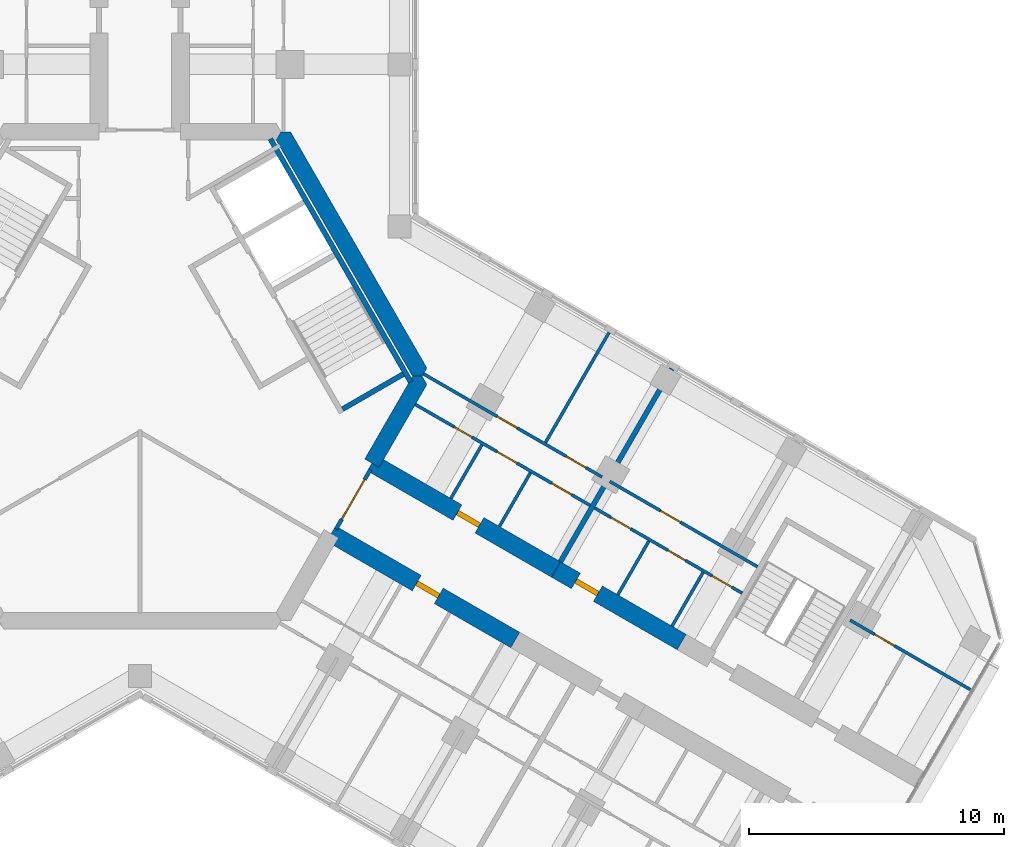
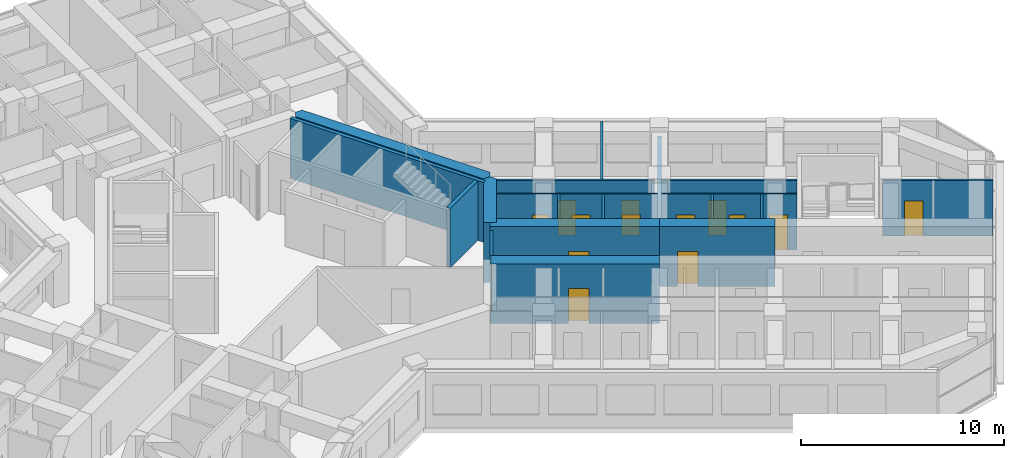
# One storey, part 12 of 16: 19 walls, 14 doors, 14 openings.
"""IFC4 building model written with IfcOpenShell, lengths in metres."""

from ifc_helpers import new_model, si_unit, direction, frame, frame_2d, origin, place, context, subcontext, project, spatial, polyline, rectangle, outline, extrude, material, layer, layer_set, type_object, element, fill, save


model = new_model("IFC4")

# Units and contexts
model_context = context("Model", 3, precision=1e-05, world=origin(), true_north=direction((0.0, 1.0)))
body_context = subcontext(model_context, "Body", "Model", "MODEL_VIEW")
ifc_project = project(units=[si_unit("LENGTHUNIT", "METRE"), si_unit("AREAUNIT", "SQUARE_METRE"), si_unit("VOLUMEUNIT", "CUBIC_METRE"), si_unit("PLANEANGLEUNIT", "RADIAN"), si_unit("MASSUNIT", "GRAM", prefix="KILO")], contexts=[model_context])

# Site, building, storey
site_placement = place(None, origin())
site = spatial("IfcSite", under=ifc_project, at=site_placement, CompositionType="ELEMENT")
building_placement = place(site_placement, origin())
building = spatial("IfcBuilding", under=site, at=building_placement, Name="Kosmar Iwan School Tower", CompositionType="ELEMENT")
storey_placement = place(building_placement, frame((0.0, 0.0, 208.199951171875)))
storey = spatial("IfcBuildingStorey", under=building, at=storey_placement, Name="L52", CompositionType="ELEMENT", Elevation=208.199951171875)

# Walls
ifc_material_1 = material(Name="Concrete C50/60", Category="concrete")
ifc_layer_1 = layer(ifc_material_1, 0.64990234375)
ifc_layer_set_1 = layer_set([ifc_layer_1], Name="Core wall 650")
wall_type_1 = type_object("IfcWallType", Name="Core wall 650", PredefinedType="SHEAR", material=ifc_layer_set_1)
wall_1_placement = place(storey_placement, origin())
element("IfcWall", 1, at=wall_1_placement, inside=storey, type_object=wall_type_1, Name="Core wall F030", PredefinedType="SHEAR", context=body_context, shape_type="SweptSolid", body=[
    extrude(outline(polyline([(10.7099609375, 0.0), (11.085205078125, 0.0), (11.272705078125, 0.324951171875), (5.917724609375, 9.60009765625), (5.54248046875, 9.60009765625), (5.35498046875, 9.27490234375), (10.7099609375, 0.0)])), origin(), (0.0, 0.0, 1.0), 3.60009765625),
])
wall_2_placement = place(storey_placement, origin())
element("IfcWall", 2, at=wall_2_placement, inside=storey, type_object=wall_type_1, Name="Core wall F330b", PredefinedType="SHEAR", context=body_context, shape_type="SweptSolid", body=[
    extrude(outline(polyline([(9.395263671875, -3.576904296875), (11.272705078125, -0.324951171875), (11.085205078125, 0.0), (10.7099609375, 0.0), (8.832275390625, -3.251953125), (9.395263671875, -3.576904296875)])), origin(), (0.0, 0.0, 1.0), 3.60009765625),
])

# Wall, opening, door
ifc_material_2 = material(Name="Concrete C50/60", Category="concrete")
ifc_layer_2 = layer(ifc_material_2, 0.699951171875)
ifc_layer_set_2 = layer_set([ifc_layer_2], Name="Corridor buttress wall 700")
wall_type_2 = type_object("IfcWallType", Name="Corridor buttress wall 700", PredefinedType="SHEAR", material=ifc_layer_set_2)
wall_3_placement = place(storey_placement, frame((9.11376953125, -3.414306640625, 0.0), z_axis=(0.0, 0.0, 1.0), x_axis=(0.866026859388, -0.499997478812, 0.0)))
wall_3 = element("IfcWall", 3, at=wall_3_placement, inside=storey, type_object=wall_type_2, Name="Corridor wall CL", PredefinedType="SHEAR", context=body_context, shape_type="SweptSolid", body=[
    extrude(rectangle(XDim=8.35009765625, YDim=0.699951171875, at=frame_2d((4.175048828125, 0.0))), origin(), (0.0, 0.0, 1.0), 3.60009765625),
])
opening_1_placement = place(wall_3_placement, frame((3.8798828125, 0.0, 0.0)))
opening_1 = element("IfcOpeningElement", 4, at=opening_1_placement, cuts=wall_3, Name="Opening D1", PredefinedType="OPENING", context=body_context, shape_type="SweptSolid", body=[
    extrude(rectangle(XDim=1.0, YDim=2.10009765625, at=frame_2d((0.5, 1.050048828125))), frame((0.0, 0.362060546875, 0.0), z_axis=(0.0, -1.0, 0.0), x_axis=(1.0, 0.0, 0.0)), (0.0, 0.0, 1.0), 0.723876953125),
])
ifc_material_3 = material(Name="Timber fire door in steel frame", Category="steel")
door_type_1 = type_object("IfcDoorType", Name="Flat entrance door 1000x2100", OperationType="SINGLE_SWING_LEFT", PredefinedType="DOOR", material=ifc_material_3)
door_1_placement = place(opening_1_placement, origin())
door_1 = element("IfcDoor", 5, at=door_1_placement, inside=storey, type_object=door_type_1, Name="Flat L52-CL1 entrance door", OperationType="SINGLE_SWING_LEFT", OverallHeight=2.10009765625, OverallWidth=1.0, PredefinedType="DOOR", context=body_context, shape_type="SweptSolid", body=[
    extrude(rectangle(XDim=1.0, YDim=2.10009765625, at=frame_2d((0.5, 1.050048828125))), frame((0.0, 0.10009765625, 0.0), z_axis=(0.0, -1.0, 0.0), x_axis=(1.0, 0.0, 0.0)), (0.0, 0.0, 1.0), 0.199951171875),
])
fill(opening_1, door_1)

wall_4_placement = place(storey_placement, frame((16.34521484375, -7.58935546875, 0.0), z_axis=(0.0, 0.0, 1.0), x_axis=(0.866015111908, -0.50001782563, 0.0)))
wall_4 = element("IfcWall", 6, at=wall_4_placement, inside=storey, type_object=wall_type_2, Name="Corridor wall CL bay 2", PredefinedType="SHEAR", context=body_context, shape_type="SweptSolid", body=[
    extrude(rectangle(XDim=5.699951171875, YDim=0.699951171875, at=frame_2d((2.85009765625, 0.0))), origin(), (0.0, 0.0, 1.0), 3.60009765625),
])
opening_2_placement = place(wall_4_placement, frame((0.89990234375, 0.0, 0.0)))
opening_2 = element("IfcOpeningElement", 7, at=opening_2_placement, cuts=wall_4, Name="Opening D1", PredefinedType="OPENING", context=body_context, shape_type="SweptSolid", body=[
    extrude(rectangle(XDim=1.0, YDim=2.10009765625, at=frame_2d((0.5, 1.050048828125))), frame((0.0, 0.362060546875, 0.0), z_axis=(0.0, -1.0, 0.0), x_axis=(1.0, 0.0, 0.0)), (0.0, 0.0, 1.0), 0.723876953125),
])
door_2_placement = place(opening_2_placement, origin())
door_2 = element("IfcDoor", 8, at=door_2_placement, inside=storey, type_object=door_type_1, Name="Flat L52-CL2 entrance door", OperationType="SINGLE_SWING_RIGHT", OverallHeight=2.10009765625, OverallWidth=1.0, PredefinedType="DOOR", context=body_context, shape_type="SweptSolid", body=[
    extrude(rectangle(XDim=1.0, YDim=2.10009765625, at=frame_2d((0.5, 1.050048828125))), frame((0.0, 0.10009765625, 0.0), z_axis=(0.0, -1.0, 0.0), x_axis=(1.0, 0.0, 0.0)), (0.0, 0.0, 1.0), 0.199951171875),
])
fill(opening_2, door_2)

wall_5_placement = place(storey_placement, frame((7.513916015625, -6.185546875, 0.0), z_axis=(0.0, 0.0, 1.0), x_axis=(0.866019549707, -0.500010139422, 0.0)))
wall_5 = element("IfcWall", 9, at=wall_5_placement, inside=storey, type_object=wall_type_2, Name="Corridor wall CR", PredefinedType="SHEAR", context=body_context, shape_type="SweptSolid", body=[
    extrude(rectangle(XDim=8.349853515625, YDim=0.699951171875, at=frame_2d((4.1748046875, 0.0))), origin(), (0.0, 0.0, 1.0), 3.60009765625),
])
opening_3_placement = place(wall_5_placement, frame((3.8798828125, 0.0, 0.0)))
opening_3 = element("IfcOpeningElement", 10, at=opening_3_placement, cuts=wall_5, Name="Opening D1", PredefinedType="OPENING", context=body_context, shape_type="SweptSolid", body=[
    extrude(rectangle(XDim=1.0, YDim=2.10009765625, at=frame_2d((0.5, 1.050048828125))), frame((0.0, 0.362060546875, 0.0), z_axis=(0.0, -1.0, 0.0), x_axis=(1.0, 0.0, 0.0)), (0.0, 0.0, 1.0), 0.723876953125),
])
door_3_placement = place(opening_3_placement, origin())
door_3 = element("IfcDoor", 11, at=door_3_placement, inside=storey, type_object=door_type_1, Name="Flat L52-CR1 entrance door", OperationType="SINGLE_SWING_RIGHT", OverallHeight=2.10009765625, OverallWidth=1.0, PredefinedType="DOOR", context=body_context, shape_type="SweptSolid", body=[
    extrude(rectangle(XDim=1.0, YDim=2.10009765625, at=frame_2d((0.5, 1.050048828125))), frame((0.0, 0.10009765625, 0.0), z_axis=(0.0, -1.0, 0.0), x_axis=(1.0, 0.0, 0.0)), (0.0, 0.0, 1.0), 0.199951171875),
])
fill(opening_3, door_3)

ifc_material_4 = material(Name="Steel framed glazed screen", Category="steel")
ifc_layer_3 = layer(ifc_material_4, 0.14990234375)
ifc_layer_set_3 = layer_set([ifc_layer_3], Name="Corridor screen wall 150")
wall_type_3 = type_object("IfcWallType", Name="Corridor screen wall 150", PredefinedType="PARTITIONING", material=ifc_layer_set_3)
wall_6_placement = place(storey_placement, frame((7.703857421875, -6.006591796875, 0.0), z_axis=(0.0, 0.0, 1.0), x_axis=(0.499980770555, 0.866036505625, 0.0)))
wall_6 = element("IfcWall", 12, at=wall_6_placement, inside=storey, type_object=wall_type_3, Name="Corridor screen C L52", PredefinedType="PARTITIONING", context=body_context, shape_type="SweptSolid", body=[
    extrude(rectangle(XDim=2.69970703125, YDim=0.14990234375, at=frame_2d((1.349853515625, 0.0))), origin(), (0.0, 0.0, 1.0), 3.35009765625),
])
opening_4_placement = place(wall_6_placement, frame((0.449951171875, 0.0, 0.0)))
opening_4 = element("IfcOpeningElement", 13, at=opening_4_placement, cuts=wall_6, Name="Opening D9", PredefinedType="OPENING", context=body_context, shape_type="SweptSolid", body=[
    extrude(rectangle(XDim=1.800048828125, YDim=2.10009765625, at=frame_2d((0.89990234375, 1.050048828125))), frame((0.0, 0.0869140625, 0.0), z_axis=(0.0, -1.0, 0.0), x_axis=(1.0, 0.0, 0.0)), (0.0, 0.0, 1.0), 0.173828125),
])
ifc_material_5 = material(Name="Steel framed glazed smoke door", Category="steel")
door_type_2 = type_object("IfcDoorType", Name="Corridor smoke door pair 1800x2100", OperationType="DOUBLE_DOOR_DOUBLE_SWING", PredefinedType="DOOR", material=ifc_material_5)
door_4_placement = place(opening_4_placement, origin())
door_4 = element("IfcDoor", 14, at=door_4_placement, inside=storey, type_object=door_type_2, Name="Corridor doors C L52", OperationType="DOUBLE_DOOR_DOUBLE_SWING", OverallHeight=2.10009765625, OverallWidth=1.800048828125, PredefinedType="DOOR", context=body_context, shape_type="SweptSolid", body=[
    extrude(rectangle(XDim=1.800048828125, YDim=2.10009765625, at=frame_2d((0.89990234375, 1.050048828125))), frame((0.0, 0.02490234375, 0.0), z_axis=(0.0, -1.0, 0.0), x_axis=(1.0, 0.0, 0.0)), (0.0, 0.0, 1.0), 0.050048828125),
])
fill(opening_4, door_4)

# Wall, openings, doors
ifc_material_6 = material(Name="Gypsum board on steel studs", Category="steel")
ifc_layer_4 = layer(ifc_material_6, 0.1201171875)
ifc_layer_set_4 = layer_set([ifc_layer_4], Name="Dwelling partition 120")
wall_type_4 = type_object("IfcWallType", Name="Dwelling partition 120", PredefinedType="PARTITIONING", material=ifc_layer_set_4)
wall_7_placement = place(storey_placement, frame((10.8203125, -1.108642578125, 0.0), z_axis=(0.0, 0.0, 1.0), x_axis=(0.866018344059, -0.500012227604, 0.0)))
wall_7 = element("IfcWall", 15, at=wall_7_placement, inside=storey, type_object=wall_type_4, Name="Partition L52-CL1-W1", PredefinedType="PARTITIONING", context=body_context, shape_type="SweptSolid", body=[
    extrude(rectangle(XDim=7.925048828125, YDim=0.1201171875, at=frame_2d((3.96240234375, 0.0))), origin(), (0.0, 0.0, 1.0), 3.35009765625),
])
opening_5_placement = place(wall_7_placement, frame((1.764892578125, 0.0, 0.0)))
opening_5 = element("IfcOpeningElement", 16, at=opening_5_placement, cuts=wall_7, Name="Opening D3", PredefinedType="OPENING", context=body_context, shape_type="SweptSolid", body=[
    extrude(rectangle(XDim=0.800048828125, YDim=2.10009765625, at=frame_2d((0.39990234375, 1.050048828125))), frame((0.0, 0.072021484375, 0.0), z_axis=(0.0, -1.0, 0.0), x_axis=(1.0, 0.0, 0.0)), (0.0, 0.0, 1.0), 0.14404296875),
])
opening_6_placement = place(wall_7_placement, frame((3.705078125, 0.0, 0.0)))
opening_6 = element("IfcOpeningElement", 17, at=opening_6_placement, cuts=wall_7, Name="Opening D2", PredefinedType="OPENING", context=body_context, shape_type="SweptSolid", body=[
    extrude(rectangle(XDim=0.89990234375, YDim=2.10009765625, at=frame_2d((0.449951171875, 1.050048828125))), frame((0.0, 0.072021484375, 0.0), z_axis=(0.0, -1.0, 0.0), x_axis=(1.0, 0.0, 0.0)), (0.0, 0.0, 1.0), 0.14404296875),
])
opening_7_placement = place(wall_7_placement, frame((6.18994140625, 0.0, 0.0)))
opening_7 = element("IfcOpeningElement", 18, at=opening_7_placement, cuts=wall_7, Name="Opening D2", PredefinedType="OPENING", context=body_context, shape_type="SweptSolid", body=[
    extrude(rectangle(XDim=0.89990234375, YDim=2.10009765625, at=frame_2d((0.449951171875, 1.050048828125))), frame((0.0, 0.072021484375, 0.0), z_axis=(0.0, -1.0, 0.0), x_axis=(1.0, 0.0, 0.0)), (0.0, 0.0, 1.0), 0.14404296875),
])
ifc_material_7 = material(Name="Timber door in timber frame", Category="wood")
door_type_3 = type_object("IfcDoorType", Name="Internal door 900x2100", OperationType="SINGLE_SWING_LEFT", PredefinedType="DOOR", material=ifc_material_7)
door_5_placement = place(opening_6_placement, origin())
door_5 = element("IfcDoor", 19, at=door_5_placement, inside=storey, type_object=door_type_3, Name="Entrance hall door L52-CL1-S2", OperationType="SINGLE_SWING_RIGHT", OverallHeight=2.10009765625, OverallWidth=0.89990234375, PredefinedType="DOOR", context=body_context, shape_type="SweptSolid", body=[
    extrude(rectangle(XDim=0.89990234375, YDim=2.10009765625, at=frame_2d((0.449951171875, 1.050048828125))), frame((0.0, 0.02490234375, 0.0), z_axis=(0.0, -1.0, 0.0), x_axis=(1.0, 0.0, 0.0)), (0.0, 0.0, 1.0), 0.050048828125),
])
fill(opening_6, door_5)
door_6_placement = place(opening_7_placement, origin())
door_6 = element("IfcDoor", 20, at=door_6_placement, inside=storey, type_object=door_type_3, Name="Pantry door L52-CL1-S3", OperationType="SINGLE_SWING_RIGHT", OverallHeight=2.10009765625, OverallWidth=0.89990234375, PredefinedType="DOOR", context=body_context, shape_type="SweptSolid", body=[
    extrude(rectangle(XDim=0.89990234375, YDim=2.10009765625, at=frame_2d((0.449951171875, 1.050048828125))), frame((0.0, 0.02490234375, 0.0), z_axis=(0.0, -1.0, 0.0), x_axis=(1.0, 0.0, 0.0)), (0.0, 0.0, 1.0), 0.050048828125),
])
fill(opening_7, door_6)
ifc_material_8 = material(Name="Timber door in timber frame", Category="wood")
door_type_4 = type_object("IfcDoorType", Name="Sanitary room door 800x2100", OperationType="SINGLE_SWING_LEFT", PredefinedType="DOOR", material=ifc_material_8)
door_7_placement = place(opening_5_placement, origin())
door_7 = element("IfcDoor", 21, at=door_7_placement, inside=storey, type_object=door_type_4, Name="Bathroom door L52-CL1-S1", OperationType="SINGLE_SWING_LEFT", OverallHeight=2.10009765625, OverallWidth=0.800048828125, PredefinedType="DOOR", context=body_context, shape_type="SweptSolid", body=[
    extrude(rectangle(XDim=0.800048828125, YDim=2.10009765625, at=frame_2d((0.39990234375, 1.050048828125))), frame((0.0, 0.02490234375, 0.0), z_axis=(0.0, -1.0, 0.0), x_axis=(1.0, 0.0, 0.0)), (0.0, 0.0, 1.0), 0.050048828125),
])
fill(opening_5, door_7)

wall_8_placement = place(storey_placement, frame((11.138916015625, 0.093017578125, 0.0), z_axis=(0.0, 0.0, 1.0), x_axis=(0.866017937352, -0.500012932018, 0.0)))
wall_8 = element("IfcWall", 22, at=wall_8_placement, inside=storey, type_object=wall_type_4, Name="Partition L52-CL1-W2", PredefinedType="PARTITIONING", context=body_context, shape_type="SweptSolid", body=[
    extrude(rectangle(XDim=8.099853515625, YDim=0.1201171875, at=frame_2d((4.0498046875, 0.0))), origin(), (0.0, 0.0, 1.0), 3.35009765625),
])
opening_8_placement = place(wall_8_placement, frame((3.35009765625, 0.0, 0.0)))
opening_8 = element("IfcOpeningElement", 23, at=opening_8_placement, cuts=wall_8, Name="Opening D2", PredefinedType="OPENING", context=body_context, shape_type="SweptSolid", body=[
    extrude(rectangle(XDim=0.89990234375, YDim=2.10009765625, at=frame_2d((0.449951171875, 1.050048828125))), frame((0.0, 0.072021484375, 0.0), z_axis=(0.0, -1.0, 0.0), x_axis=(1.0, 0.0, 0.0)), (0.0, 0.0, 1.0), 0.14404296875),
])
opening_9_placement = place(wall_8_placement, frame((6.47509765625, 0.0, 0.0)))
opening_9 = element("IfcOpeningElement", 24, at=opening_9_placement, cuts=wall_8, Name="Opening D2", PredefinedType="OPENING", context=body_context, shape_type="SweptSolid", body=[
    extrude(rectangle(XDim=0.89990234375, YDim=2.10009765625, at=frame_2d((0.449951171875, 1.050048828125))), frame((0.0, 0.072021484375, 0.0), z_axis=(0.0, -1.0, 0.0), x_axis=(1.0, 0.0, 0.0)), (0.0, 0.0, 1.0), 0.14404296875),
])
door_8_placement = place(opening_8_placement, origin())
door_8 = element("IfcDoor", 25, at=door_8_placement, inside=storey, type_object=door_type_3, Name="Living room and kitchen door L52-CL1-F1", OperationType="SINGLE_SWING_RIGHT", OverallHeight=2.10009765625, OverallWidth=0.89990234375, PredefinedType="DOOR", context=body_context, shape_type="SweptSolid", body=[
    extrude(rectangle(XDim=0.89990234375, YDim=2.10009765625, at=frame_2d((0.449951171875, 1.050048828125))), frame((0.0, 0.02490234375, 0.0), z_axis=(0.0, -1.0, 0.0), x_axis=(1.0, 0.0, 0.0)), (0.0, 0.0, 1.0), 0.050048828125),
])
fill(opening_8, door_8)
door_9_placement = place(opening_9_placement, origin())
door_9 = element("IfcDoor", 26, at=door_9_placement, inside=storey, type_object=door_type_3, Name="Bedroom 1 door L52-CL1-F2", OperationType="SINGLE_SWING_RIGHT", OverallHeight=2.10009765625, OverallWidth=0.89990234375, PredefinedType="DOOR", context=body_context, shape_type="SweptSolid", body=[
    extrude(rectangle(XDim=0.89990234375, YDim=2.10009765625, at=frame_2d((0.449951171875, 1.050048828125))), frame((0.0, 0.02490234375, 0.0), z_axis=(0.0, -1.0, 0.0), x_axis=(1.0, 0.0, 0.0)), (0.0, 0.0, 1.0), 0.050048828125),
])
fill(opening_9, door_9)

# Walls
wall_9_placement = place(storey_placement, frame((15.931884765625, -2.60498046875, 0.0), z_axis=(0.0, 0.0, 1.0), x_axis=(0.500011847778, 0.866018563358, 0.0)))
element("IfcWall", 27, at=wall_9_placement, inside=storey, type_object=wall_type_4, Name="Partition L52-CL1-X1", PredefinedType="PARTITIONING", context=body_context, shape_type="SweptSolid", body=[
    extrude(rectangle(XDim=4.990234375, YDim=0.1201171875, at=frame_2d((2.4951171875, 0.0))), origin(), (0.0, 0.0, 1.0), 3.35009765625),
])
wall_10_placement = place(storey_placement, frame((12.216064453125, -4.80126953125, 0.0), z_axis=(0.0, 0.0, 1.0), x_axis=(0.500002508028, 0.866023955769, 0.0)))
element("IfcWall", 28, at=wall_10_placement, inside=storey, type_object=wall_type_4, Name="Partition L52-CL1-Y1", PredefinedType="PARTITIONING", context=body_context, shape_type="SweptSolid", body=[
    extrude(rectangle(XDim=2.43994140625, YDim=0.1201171875, at=frame_2d((1.219970703125, 0.0))), origin(), (0.0, 0.0, 1.0), 3.35009765625),
])
wall_11_placement = place(storey_placement, frame((14.121337890625, -5.9013671875, 0.0), z_axis=(0.0, 0.0, 1.0), x_axis=(0.499959183527, 0.866048967903, 0.0)))
element("IfcWall", 29, at=wall_11_placement, inside=storey, type_object=wall_type_4, Name="Partition L52-CL1-Y2", PredefinedType="PARTITIONING", context=body_context, shape_type="SweptSolid", body=[
    extrude(rectangle(XDim=2.440185546875, YDim=0.1201171875, at=frame_2d((1.22021484375, 0.0))), origin(), (0.0, 0.0, 1.0), 3.35009765625),
])

# Wall, openings, doors
wall_12_placement = place(storey_placement, frame((17.856689453125, -5.171142578125, 0.0), z_axis=(0.0, 0.0, 1.0), x_axis=(0.866023571113, -0.500003174267, 0.0)))
wall_12 = element("IfcWall", 30, at=wall_12_placement, inside=storey, type_object=wall_type_4, Name="Partition L52-CL2-W1", PredefinedType="PARTITIONING", context=body_context, shape_type="SweptSolid", body=[
    extrude(rectangle(XDim=6.7001953125, YDim=0.1201171875, at=frame_2d((3.35009765625, 0.0))), origin(), (0.0, 0.0, 1.0), 3.35009765625),
])
opening_10_placement = place(wall_12_placement, frame((0.75, 0.0, 0.0)))
opening_10 = element("IfcOpeningElement", 31, at=opening_10_placement, cuts=wall_12, Name="Opening D2", PredefinedType="OPENING", context=body_context, shape_type="SweptSolid", body=[
    extrude(rectangle(XDim=0.89990234375, YDim=2.10009765625, at=frame_2d((0.449951171875, 1.050048828125))), frame((0.0, 0.072021484375, 0.0), z_axis=(0.0, -1.0, 0.0), x_axis=(1.0, 0.0, 0.0)), (0.0, 0.0, 1.0), 0.14404296875),
])
opening_11_placement = place(wall_12_placement, frame((3.330078125, 0.0, 0.0)))
opening_11 = element("IfcOpeningElement", 32, at=opening_11_placement, cuts=wall_12, Name="Opening D3", PredefinedType="OPENING", context=body_context, shape_type="SweptSolid", body=[
    extrude(rectangle(XDim=0.800048828125, YDim=2.10009765625, at=frame_2d((0.39990234375, 1.050048828125))), frame((0.0, 0.072021484375, 0.0), z_axis=(0.0, -1.0, 0.0), x_axis=(1.0, 0.0, 0.0)), (0.0, 0.0, 1.0), 0.14404296875),
])
opening_12_placement = place(wall_12_placement, frame((5.330078125, 0.0, 0.0)))
opening_12 = element("IfcOpeningElement", 33, at=opening_12_placement, cuts=wall_12, Name="Opening D2", PredefinedType="OPENING", context=body_context, shape_type="SweptSolid", body=[
    extrude(rectangle(XDim=0.89990234375, YDim=2.10009765625, at=frame_2d((0.449951171875, 1.050048828125))), frame((0.0, 0.072021484375, 0.0), z_axis=(0.0, -1.0, 0.0), x_axis=(1.0, 0.0, 0.0)), (0.0, 0.0, 1.0), 0.14404296875),
])
door_10_placement = place(opening_10_placement, origin())
door_10 = element("IfcDoor", 34, at=door_10_placement, inside=storey, type_object=door_type_3, Name="Entrance hall door L52-CL2-S1", OperationType="SINGLE_SWING_LEFT", OverallHeight=2.10009765625, OverallWidth=0.89990234375, PredefinedType="DOOR", context=body_context, shape_type="SweptSolid", body=[
    extrude(rectangle(XDim=0.89990234375, YDim=2.10009765625, at=frame_2d((0.449951171875, 1.050048828125))), frame((0.0, 0.02490234375, 0.0), z_axis=(0.0, -1.0, 0.0), x_axis=(1.0, 0.0, 0.0)), (0.0, 0.0, 1.0), 0.050048828125),
])
fill(opening_10, door_10)
door_11_placement = place(opening_12_placement, frame((0.89990234375, 0.0, 0.0), z_axis=(0.0, 0.0, 1.0), x_axis=(-1.0, 0.0, 0.0)))
door_11 = element("IfcDoor", 35, at=door_11_placement, inside=storey, type_object=door_type_3, Name="Pantry door L52-CL2-S3", OperationType="SINGLE_SWING_LEFT", OverallHeight=2.10009765625, OverallWidth=0.89990234375, PredefinedType="DOOR", context=body_context, shape_type="SweptSolid", body=[
    extrude(rectangle(XDim=0.89990234375, YDim=2.10009765625, at=frame_2d((0.449951171875, 1.050048828125))), frame((0.0, 0.02490234375, 0.0), z_axis=(0.0, -1.0, 0.0), x_axis=(1.0, 0.0, 0.0)), (0.0, 0.0, 1.0), 0.050048828125),
])
fill(opening_12, door_11)
door_12_placement = place(opening_11_placement, origin())
door_12 = element("IfcDoor", 36, at=door_12_placement, inside=storey, type_object=door_type_4, Name="Bathroom door L52-CL2-S2", OperationType="SINGLE_SWING_RIGHT", OverallHeight=2.10009765625, OverallWidth=0.800048828125, PredefinedType="DOOR", context=body_context, shape_type="SweptSolid", body=[
    extrude(rectangle(XDim=0.800048828125, YDim=2.10009765625, at=frame_2d((0.39990234375, 1.050048828125))), frame((0.0, 0.02490234375, 0.0), z_axis=(0.0, -1.0, 0.0), x_axis=(1.0, 0.0, 0.0)), (0.0, 0.0, 1.0), 0.050048828125),
])
fill(opening_11, door_12)

# Wall, opening, door
wall_13_placement = place(storey_placement, frame((18.456787109375, -4.1318359375, 0.0), z_axis=(0.0, 0.0, 1.0), x_axis=(0.866014461049, -0.500018952895, 0.0)))
wall_13 = element("IfcWall", 37, at=wall_13_placement, inside=storey, type_object=wall_type_4, Name="Partition L52-CL2-W2", PredefinedType="PARTITIONING", context=body_context, shape_type="SweptSolid", body=[
    extrude(rectangle(XDim=6.699951171875, YDim=0.1201171875, at=frame_2d((3.35009765625, 0.0))), origin(), (0.0, 0.0, 1.0), 3.35009765625),
])
opening_13_placement = place(wall_13_placement, frame((2.300048828125, 0.0, 0.0)))
opening_13 = element("IfcOpeningElement", 38, at=opening_13_placement, cuts=wall_13, Name="Opening D2", PredefinedType="OPENING", context=body_context, shape_type="SweptSolid", body=[
    extrude(rectangle(XDim=0.89990234375, YDim=2.10009765625, at=frame_2d((0.449951171875, 1.050048828125))), frame((0.0, 0.072021484375, 0.0), z_axis=(0.0, -1.0, 0.0), x_axis=(1.0, 0.0, 0.0)), (0.0, 0.0, 1.0), 0.14404296875),
])
door_13_placement = place(opening_13_placement, origin())
door_13 = element("IfcDoor", 39, at=door_13_placement, inside=storey, type_object=door_type_3, Name="Studio living room and kitchen door L52-CL2-F1", OperationType="SINGLE_SWING_LEFT", OverallHeight=2.10009765625, OverallWidth=0.89990234375, PredefinedType="DOOR", context=body_context, shape_type="SweptSolid", body=[
    extrude(rectangle(XDim=0.89990234375, YDim=2.10009765625, at=frame_2d((0.449951171875, 1.050048828125))), frame((0.0, 0.02490234375, 0.0), z_axis=(0.0, -1.0, 0.0), x_axis=(1.0, 0.0, 0.0)), (0.0, 0.0, 1.0), 0.050048828125),
])
fill(opening_13, door_13)

# Walls
for number, where, z_axis, x_axis, name in (
    (40, (18.771728515625, -8.586181640625, 0.0), (0.0, 0.0, 1.0), (0.500077547548, 0.865980627057, 0.0), "Partition L52-CL2-Y1"),
    (41, (20.90234375, -9.816162109375, 0.0), (0.0, 0.0, 1.0), (0.500002508028, 0.866023955769, 0.0), "Partition L52-CL2-Y2"),
):
    element("IfcWall", number, at=place(storey_placement, frame(where, z_axis=z_axis, x_axis=x_axis)), inside=storey, type_object=wall_type_4, Name=name, PredefinedType="PARTITIONING", context=body_context, shape_type="SweptSolid", body=[
        extrude(rectangle(XDim=2.43994140625, YDim=0.1201171875, at=frame_2d((1.219970703125, 0.0))), origin(), (0.0, 0.0, 1.0), 3.35009765625),
    ])

# Wall, opening, door
wall_14_placement = place(storey_placement, frame((27.896484375, -9.58203125, 0.0), z_axis=(0.0, 0.0, 1.0), x_axis=(0.866035508231, -0.499982498177, 0.0)))
wall_14 = element("IfcWall", 42, at=wall_14_placement, inside=storey, type_object=wall_type_4, Name="Partition L52-CL3-TW", PredefinedType="PARTITIONING", context=body_context, shape_type="SweptSolid", body=[
    extrude(rectangle(XDim=5.445068359375, YDim=0.1201171875, at=frame_2d((2.72265625, 0.0))), origin(), (0.0, 0.0, 1.0), 3.35009765625),
])
opening_14_placement = place(wall_14_placement, frame((1.10009765625, 0.0, 0.0)))
opening_14 = element("IfcOpeningElement", 43, at=opening_14_placement, cuts=wall_14, Name="Opening D2", PredefinedType="OPENING", context=body_context, shape_type="SweptSolid", body=[
    extrude(rectangle(XDim=0.89990234375, YDim=2.10009765625, at=frame_2d((0.449951171875, 1.050048828125))), frame((0.0, 0.072021484375, 0.0), z_axis=(0.0, -1.0, 0.0), x_axis=(1.0, 0.0, 0.0)), (0.0, 0.0, 1.0), 0.14404296875),
])
door_14_placement = place(opening_14_placement, origin())
door_14 = element("IfcDoor", 44, at=door_14_placement, inside=storey, type_object=door_type_3, Name="Entrance hall door L52-CL3-T3", OperationType="SINGLE_SWING_LEFT", OverallHeight=2.10009765625, OverallWidth=0.89990234375, PredefinedType="DOOR", context=body_context, shape_type="SweptSolid", body=[
    extrude(rectangle(XDim=0.89990234375, YDim=2.10009765625, at=frame_2d((0.449951171875, 1.050048828125))), frame((0.0, 0.02490234375, 0.0), z_axis=(0.0, -1.0, 0.0), x_axis=(1.0, 0.0, 0.0)), (0.0, 0.0, 1.0), 0.050048828125),
])
fill(opening_14, door_14)

# Walls
ifc_material_9 = material(Name="Concrete C50/60", Category="concrete")
ifc_layer_5 = layer(ifc_material_9, 0.199951171875)
ifc_layer_set_5 = layer_set([ifc_layer_5], Name="Lift shaft wall 200")
wall_type_5 = type_object("IfcWallType", Name="Lift shaft wall 200", PredefinedType="SHEAR", material=ifc_layer_set_5)
wall_15_placement = place(storey_placement, frame((10.6376953125, -0.22509765625, 0.0), z_axis=(0.0, 0.0, 1.0), x_axis=(-0.49999650507, 0.866027421574, 0.0)))
element("IfcWall", 45, at=wall_15_placement, inside=storey, type_object=wall_type_5, Name="Lift and stair back wall AC", PredefinedType="SHEAR", context=body_context, shape_type="SweptSolid", body=[
    extrude(rectangle(XDim=11.02734375, YDim=0.199951171875, at=frame_2d((5.513671875, 0.0))), origin(), (0.0, 0.0, 1.0), 3.60009765625),
])
ifc_material_10 = material(Name="Concrete block masonry", Category="masonry")
ifc_layer_6 = layer(ifc_material_10, 0.199951171875)
ifc_layer_set_6 = layer_set([ifc_layer_6], Name="Party wall 200")
wall_type_6 = type_object("IfcWallType", Name="Party wall 200", PredefinedType="PARTITIONING", material=ifc_layer_set_6)
wall_16_placement = place(storey_placement, frame((16.520263671875, -7.286376953125, 0.0), z_axis=(0.0, 0.0, 1.0), x_axis=(0.499992152613, 0.866029934428, 0.0)))
element("IfcWall", 46, at=wall_16_placement, inside=storey, type_object=wall_type_6, Name="Partition L52-CL2-PW", PredefinedType="PARTITIONING", context=body_context, shape_type="SweptSolid", body=[
    extrude(rectangle(XDim=8.750244140625, YDim=0.199951171875, at=frame_2d((4.375, 0.0))), origin(), (0.0, 0.0, 1.0), 2.449951171875),
])
ifc_material_11 = material(Name="Concrete C50/60", Category="concrete")
ifc_layer_7 = layer(ifc_material_11, 0.199951171875)
ifc_layer_set_7 = layer_set([ifc_layer_7], Name="Stair enclosure wall 200")
wall_type_7 = type_object("IfcWallType", Name="Stair enclosure wall 200", PredefinedType="SHEAR", material=ifc_layer_set_7)
wall_17_placement = place(storey_placement, frame((7.962646484375, -1.291748046875, 0.0), z_axis=(0.0, 0.0, 1.0), x_axis=(0.866027397988, 0.499996545922, 0.0)))
element("IfcWall", 47, at=wall_17_placement, inside=storey, type_object=wall_type_7, Name="Stair ST1 wall", PredefinedType="SHEAR", context=body_context, shape_type="SweptSolid", body=[
    extrude(rectangle(XDim=2.75, YDim=0.199951171875, at=frame_2d((1.375, 0.0))), origin(), (0.0, 0.0, 1.0), 3.60009765625),
])

save(model, "model.ifc")
